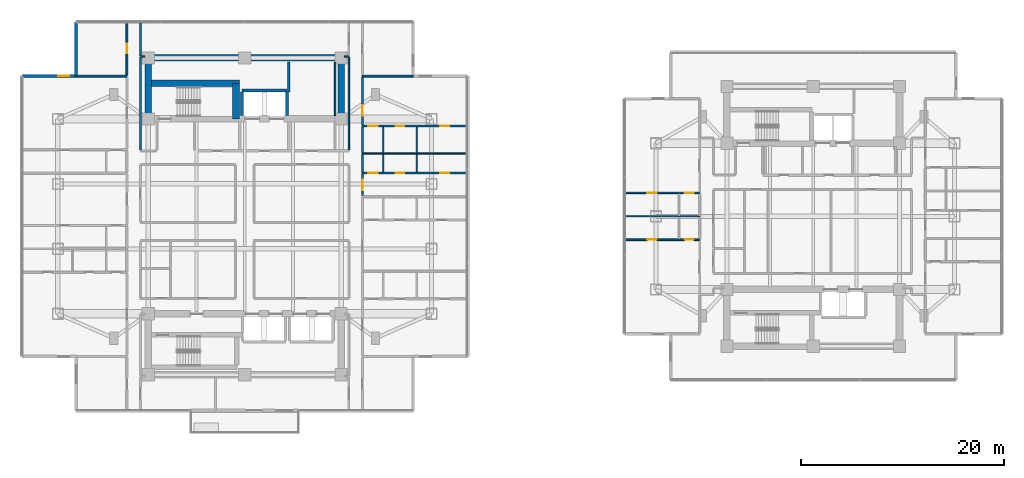
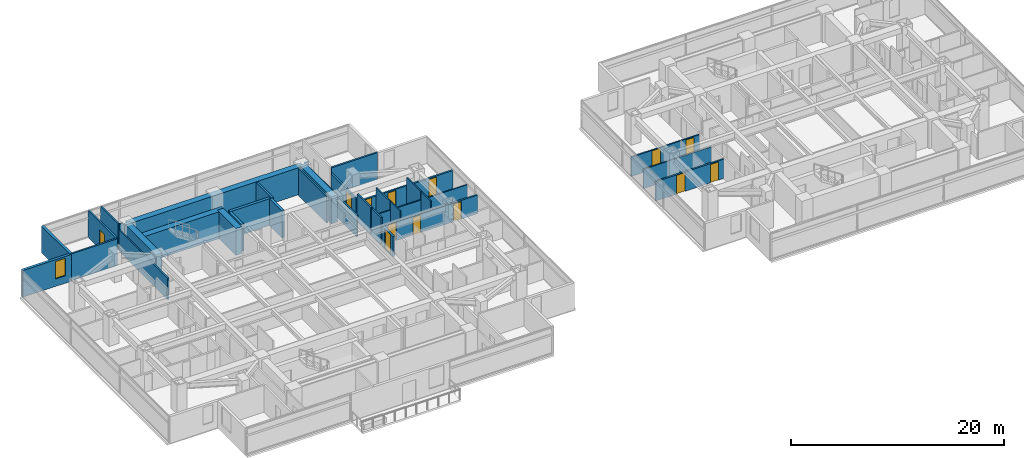
# One storey, part 16 of 26: 34 walls, 13 doors, 1 window, 14 openings.
"""IFC4 building model written with IfcOpenShell, lengths in metres."""

from ifc_helpers import new_model, si_unit, direction, frame, frame_2d, origin, place, context, subcontext, project, spatial, rectangle, extrude, material, layer, layer_set, type_object, element, fill, save


model = new_model("IFC4")

# Units and contexts
model_context = context("Model", 3, precision=1e-05, world=origin(), true_north=direction((0.0, 1.0)))
body_context = subcontext(model_context, "Body", "Model", "MODEL_VIEW")
ifc_project = project(units=[si_unit("LENGTHUNIT", "METRE"), si_unit("AREAUNIT", "SQUARE_METRE"), si_unit("VOLUMEUNIT", "CUBIC_METRE"), si_unit("PLANEANGLEUNIT", "RADIAN"), si_unit("MASSUNIT", "GRAM", prefix="KILO")], contexts=[model_context])

# Site, building, storey
site_placement = place(None, origin())
site = spatial("IfcSite", under=ifc_project, at=site_placement, CompositionType="ELEMENT")
building_placement = place(site_placement, origin())
building = spatial("IfcBuilding", under=site, at=building_placement, Name="Mirazonda Arch Towers", CompositionType="ELEMENT")
storey_placement = place(building_placement, frame((0.0, 0.0, 108.199951171875)))
storey = spatial("IfcBuildingStorey", under=building, at=storey_placement, Name="L30", CompositionType="ELEMENT", Elevation=108.199951171875)

# Walls
ifc_material_1 = material(Name="Concrete C60/75", Category="concrete")
ifc_layer_1 = layer(ifc_material_1, 0.64990234375, Name="WALL-CORE-650")
ifc_layer_set_1 = layer_set([ifc_layer_1], Name="Concrete C60/75")
wall_type_1 = type_object("IfcWallType", Name="WALL-CORE-650", PredefinedType="SHEAR", material=ifc_layer_set_1)
wall_1_placement = place(storey_placement, frame((11.0, 43.60009765625, 0.0), z_axis=(0.0, 0.0, 1.0), x_axis=(1.0, 0.0, 0.0)))
element("IfcWall", 1, at=wall_1_placement, inside=storey, type_object=wall_type_1, Name="L30 T1N-N Core Shear Wall", PredefinedType="SHEAR", context=body_context, shape_type="SweptSolid", body=[
    extrude(rectangle(XDim=19.0, YDim=0.64990234375, at=frame_2d((9.5, 0.0))), origin(), (0.0, 0.0, 1.0), 3.080078125),
])
for number, where, z_axis, x_axis, name in (
    (2, (11.0, 37.60009765625, 0.0), (0.0, 0.0, 1.0), (0.0, 1.0, 0.0), "L30 T1N-W Core Shear Wall"),
    (3, (30.0, 37.60009765625, 0.0), (0.0, 0.0, 1.0), (0.0, 1.0, 0.0), "L30 T1N-E Core Shear Wall"),
):
    element("IfcWall", number, at=place(storey_placement, frame(where, z_axis=z_axis, x_axis=x_axis)), inside=storey, type_object=wall_type_1, Name=name, PredefinedType="SHEAR", context=body_context, shape_type="SweptSolid", body=[
        extrude(rectangle(XDim=6.0, YDim=0.64990234375, at=frame_2d((3.0, 0.0))), origin(), (0.0, 0.0, 1.0), 3.080078125),
    ])
wall_2_placement = place(storey_placement, frame((11.0, 41.093017578125, 0.0), z_axis=(0.0, 0.0, 1.0), x_axis=(1.0, 0.0, 0.0)))
element("IfcWall", 4, at=wall_2_placement, inside=storey, type_object=wall_type_1, Name="L30 T1N-STN Core Shear Wall", PredefinedType="SHEAR", context=body_context, shape_type="SweptSolid", body=[
    extrude(rectangle(XDim=9.0, YDim=0.64990234375, at=frame_2d((4.5, 0.0))), origin(), (0.0, 0.0, 1.0), 3.080078125),
])
wall_3_placement = place(storey_placement, frame((19.64990234375, 37.60009765625, 0.0), z_axis=(0.0, 0.0, 1.0), x_axis=(0.0, 1.0, 0.0)))
element("IfcWall", 5, at=wall_3_placement, inside=storey, type_object=wall_type_1, Name="L30 T1N-STE Core Shear Wall", PredefinedType="SHEAR", context=body_context, shape_type="SweptSolid", body=[
    extrude(rectangle(XDim=3.492919921875, YDim=0.64990234375, at=frame_2d((1.74658203125, 0.0))), origin(), (0.0, 0.0, 1.0), 3.080078125),
])

# Wall, opening, window
ifc_material_2 = material(Name="Precast Concrete C40/50", Category="concrete")
ifc_layer_2 = layer(ifc_material_2, 0.280029296875, Name="WALL-EXT-WALL-280")
ifc_layer_set_2 = layer_set([ifc_layer_2], Name="Precast Concrete C40/50")
wall_type_2 = type_object("IfcWallType", Name="WALL-EXT-WALL-280", PredefinedType="SOLIDWALL", material=ifc_layer_set_2)
wall_4_placement = place(storey_placement, frame((3.89501953125, 41.81298828125, 0.0), z_axis=(0.0, 0.0, 1.0), x_axis=(-1.0, 0.0, 0.0)))
wall_4 = element("IfcWall", 6, at=wall_4_placement, inside=storey, type_object=wall_type_2, Name="L30 T1 Corner Notch Return Wall WL-L30-T1-CNW1", PredefinedType="SOLIDWALL", context=body_context, shape_type="SweptSolid", body=[
    extrude(rectangle(XDim=5.304931640625, YDim=0.280029296875, at=frame_2d((2.65234375, 0.0))), origin(), (0.0, 0.0, 1.0), 3.06005859375),
])
opening_1_placement = place(wall_4_placement, frame((0.64990234375, 0.0, 0.85009765625)))
opening_1 = element("IfcOpeningElement", 7, at=opening_1_placement, cuts=wall_4, Name="Opening WN-108", PredefinedType="OPENING", context=body_context, shape_type="SweptSolid", body=[
    extrude(rectangle(XDim=1.10009765625, YDim=2.0, at=frame_2d((0.550048828125, 1.0))), frame((0.0, 0.14990234375, 0.0), z_axis=(0.0, -1.0, 0.0), x_axis=(1.0, 0.0, 0.0)), (0.0, 0.0, 1.0), 0.300048828125),
])
ifc_material_3 = material(Name="Insulated Low-E Solar Glass", Category="glass")
window_type = type_object("IfcWindowType", Name="WIN-NOTCH-1100x2000", PartitioningType="SINGLE_PANEL", PredefinedType="WINDOW", material=ifc_material_3)
window_placement = place(opening_1_placement, origin())
window = element("IfcWindow", 8, at=window_placement, inside=storey, type_object=window_type, Name="L30 Punched Facade Window WN-L30-T1-CNW1", OverallHeight=2.0, OverallWidth=1.10009765625, PartitioningType="SINGLE_PANEL", PredefinedType="WINDOW", context=body_context, shape_type="SweptSolid", body=[
    extrude(rectangle(XDim=1.10009765625, YDim=2.0, at=frame_2d((0.550048828125, 1.0))), frame((0.0, 0.030029296875, 0.0), z_axis=(0.0, -1.0, 0.0), x_axis=(1.0, 0.0, 0.0)), (0.0, 0.0, 1.0), 0.06005859375),
])
fill(opening_1, window)

# Walls
wall_5_placement = place(storey_placement, frame((3.89501953125, 47.117919921875, 0.0), z_axis=(0.0, 0.0, 1.0), x_axis=(0.0, -1.0, 0.0)))
element("IfcWall", 9, at=wall_5_placement, inside=storey, type_object=wall_type_2, Name="L30 T1 Corner Notch Return Wall WL-L30-T1-CNW2", PredefinedType="SOLIDWALL", context=body_context, shape_type="SweptSolid", body=[
    extrude(rectangle(XDim=5.304931640625, YDim=0.280029296875, at=frame_2d((2.65234375, 0.0))), origin(), (0.0, 0.0, 1.0), 3.06005859375),
])
ifc_material_4 = material(Name="Concrete C40/50", Category="concrete")
ifc_layer_3 = layer(ifc_material_4, 0.219970703125, Name="WALL-FFL-220")
ifc_layer_set_3 = layer_set([ifc_layer_3], Name="Concrete C40/50")
wall_type_3 = type_object("IfcWallType", Name="WALL-FFL-220", PredefinedType="SOLIDWALL", material=ifc_layer_set_3)
wall_6_placement = place(storey_placement, frame((24.85009765625, 40.260009765625, 0.0), z_axis=(0.0, 0.0, 1.0), x_axis=(0.0, 1.0, 0.0)))
element("IfcWall", 10, at=wall_6_placement, inside=storey, type_object=wall_type_3, Name="L30 Interior Partition 103", PredefinedType="SOLIDWALL", context=body_context, shape_type="SweptSolid", body=[
    extrude(rectangle(XDim=2.93994140625, YDim=0.219970703125, at=frame_2d((1.469970703125, 0.0))), origin(), (0.0, 0.0, 1.0), 3.080078125),
])

# Wall, openings, doors
ifc_material_5 = material(Name="Fire-Rated Gypsum Stud Partition")
ifc_layer_4 = layer(ifc_material_5, 0.14990234375, Name="WALL-PART-CORR-150")
ifc_layer_set_4 = layer_set([ifc_layer_4], Name="Fire-Rated Gypsum Stud Partition")
wall_type_4 = type_object("IfcWallType", Name="WALL-PART-CORR-150", PredefinedType="PARTITIONING", material=ifc_layer_set_4)
wall_7_placement = place(storey_placement, frame((57.928955078125, 30.300048828125, 0.0), z_axis=(0.0, 0.0, 1.0), x_axis=(1.0, 0.0, 0.0)))
wall_7 = element("IfcWall", 11, at=wall_7_placement, inside=storey, type_object=wall_type_4, Name="L30 Interior Partition 040", PredefinedType="PARTITIONING", context=body_context, shape_type="SweptSolid", body=[
    extrude(rectangle(XDim=7.39111328125, YDim=0.14990234375, at=frame_2d((3.695556640625, 0.0))), origin(), (0.0, 0.0, 1.0), 2.216064453125),
])
opening_2_placement = place(wall_7_placement, frame((2.220458984375, 0.0, 0.0)))
opening_2 = element("IfcOpeningElement", 12, at=opening_2_placement, cuts=wall_7, Name="Opening DR-104", PredefinedType="OPENING", context=body_context, shape_type="SweptSolid", body=[
    extrude(rectangle(XDim=0.949951171875, YDim=2.14990234375, at=frame_2d((0.47509765625, 1.074951171875))), frame((0.0, 0.0849609375, 0.0), z_axis=(0.0, -1.0, 0.0), x_axis=(1.0, 0.0, 0.0)), (0.0, 0.0, 1.0), 0.169921875),
])
opening_3_placement = place(wall_7_placement, frame((5.90087890625, 0.0, 0.0)))
opening_3 = element("IfcOpeningElement", 13, at=opening_3_placement, cuts=wall_7, Name="Opening DR-120", PredefinedType="OPENING", context=body_context, shape_type="SweptSolid", body=[
    extrude(rectangle(XDim=0.89990234375, YDim=2.10009765625, at=frame_2d((0.449951171875, 1.050048828125))), frame((0.0, 0.0849609375, 0.0), z_axis=(0.0, -1.0, 0.0), x_axis=(1.0, 0.0, 0.0)), (0.0, 0.0, 1.0), 0.169921875),
])
ifc_material_6 = material(Name="Architectural Brushed Steel S355", Category="steel")
door_type_1 = type_object("IfcDoorType", Name="DOOR-ROOM-950", OperationType="NOTDEFINED", PredefinedType="DOOR", material=ifc_material_6)
door_1_placement = place(opening_2_placement, origin())
door_1 = element("IfcDoor", 14, at=door_1_placement, inside=storey, type_object=door_type_1, Name="L30 Guestroom Study 2 Door", OperationType="SINGLE_SWING_RIGHT", OverallHeight=2.14990234375, OverallWidth=0.949951171875, PredefinedType="DOOR", context=body_context, shape_type="SweptSolid", body=[
    extrude(rectangle(XDim=0.949951171875, YDim=2.14990234375, at=frame_2d((0.47509765625, 1.074951171875))), frame((0.0, 0.02490234375, 0.0), z_axis=(0.0, -1.0, 0.0), x_axis=(1.0, 0.0, 0.0)), (0.0, 0.0, 1.0), 0.050048828125),
])
fill(opening_2, door_1)
door_type_2 = type_object("IfcDoorType", Name="DOOR-WC-900", OperationType="NOTDEFINED", PredefinedType="DOOR", material=ifc_material_6)
door_2_placement = place(opening_3_placement, origin())
door_2 = element("IfcDoor", 15, at=door_2_placement, inside=storey, type_object=door_type_2, Name="L30 En-Suite Bathroom 2 Door", OperationType="SINGLE_SWING_LEFT", OverallHeight=2.10009765625, OverallWidth=0.89990234375, PredefinedType="DOOR", context=body_context, shape_type="SweptSolid", body=[
    extrude(rectangle(XDim=0.89990234375, YDim=2.10009765625, at=frame_2d((0.449951171875, 1.050048828125))), frame((0.0, 0.02490234375, 0.0), z_axis=(0.0, -1.0, 0.0), x_axis=(1.0, 0.0, 0.0)), (0.0, 0.0, 1.0), 0.050048828125),
])
fill(opening_3, door_2)

# Walls
for number, where, z_axis, x_axis, name in (
    (16, (10.239990234375, 43.75, 0.0), (0.0, 0.0, 1.0), (1.0, 0.0, 0.0), "L30 Interior Partition 064"),
    (17, (30.320068359375, 43.75, 0.0), (0.0, 0.0, 1.0), (1.0, 0.0, 0.0), "L30 Interior Partition 065"),
):
    element("IfcWall", number, at=place(storey_placement, frame(where, z_axis=z_axis, x_axis=x_axis)), inside=storey, type_object=wall_type_4, Name=name, PredefinedType="PARTITIONING", context=body_context, shape_type="SweptSolid", body=[
        extrude(rectangle(XDim=0.43994140625, YDim=0.14990234375, at=frame_2d((0.219970703125, 0.0))), origin(), (0.0, 0.0, 1.0), 3.080078125),
    ])
wall_8_placement = place(storey_placement, frame((10.239990234375, 34.534912109375, 0.0), z_axis=(0.0, 0.0, 1.0), x_axis=(0.0, 1.0, 0.0)))
element("IfcWall", 18, at=wall_8_placement, inside=storey, type_object=wall_type_4, Name="L30 Interior Partition 083", PredefinedType="PARTITIONING", context=body_context, shape_type="SweptSolid", body=[
    extrude(rectangle(XDim=9.130126953125, YDim=0.14990234375, at=frame_2d((4.56494140625, 0.0))), origin(), (0.0, 0.0, 1.0), 2.4560546875),
])
wall_9_placement = place(storey_placement, frame((10.239990234375, 43.8349609375, 0.0), z_axis=(0.0, 0.0, 1.0), x_axis=(0.0, 1.0, 0.0)))
element("IfcWall", 19, at=wall_9_placement, inside=storey, type_object=wall_type_4, Name="L30 Interior Partition 084", PredefinedType="PARTITIONING", context=body_context, shape_type="SweptSolid", body=[
    extrude(rectangle(XDim=3.282958984375, YDim=0.14990234375, at=frame_2d((1.6416015625, 0.0))), origin(), (0.0, 0.0, 1.0), 3.080078125),
])
wall_10_placement = place(storey_placement, frame((29.39990234375, 37.919921875, 0.0), z_axis=(0.0, 0.0, 1.0), x_axis=(0.0, 1.0, 0.0)))
element("IfcWall", 20, at=wall_10_placement, inside=storey, type_object=wall_type_4, Name="L30 Interior Partition 106", PredefinedType="PARTITIONING", context=body_context, shape_type="SweptSolid", body=[
    extrude(rectangle(XDim=5.280029296875, YDim=0.14990234375, at=frame_2d((2.64013671875, 0.0))), origin(), (0.0, 0.0, 1.0), 3.080078125),
])
wall_11_placement = place(storey_placement, frame((30.760009765625, 34.570068359375, 0.0), z_axis=(0.0, 0.0, 1.0), x_axis=(0.0, 1.0, 0.0)))
element("IfcWall", 21, at=wall_11_placement, inside=storey, type_object=wall_type_4, Name="L30 Interior Partition 111", PredefinedType="PARTITIONING", context=body_context, shape_type="SweptSolid", body=[
    extrude(rectangle(XDim=9.094970703125, YDim=0.14990234375, at=frame_2d((4.54736328125, 0.0))), origin(), (0.0, 0.0, 1.0), 2.4560546875),
])

# Wall, openings, doors
ifc_material_7 = material(Name="Fire-Rated Gypsum Twin-Stud Assembly")
ifc_layer_5 = layer(ifc_material_7, 0.179931640625, Name="WALL-PART-DEMISE-180")
ifc_layer_set_5 = layer_set([ifc_layer_5], Name="Fire-Rated Gypsum Twin-Stud Assembly")
wall_type_5 = type_object("IfcWallType", Name="WALL-PART-DEMISE-180", PredefinedType="PARTITIONING", material=ifc_layer_set_5)
wall_12_placement = place(storey_placement, frame((57.928955078125, 25.699951171875, 0.0), z_axis=(0.0, 0.0, 1.0), x_axis=(1.0, 0.0, 0.0)))
wall_12 = element("IfcWall", 22, at=wall_12_placement, inside=storey, type_object=wall_type_5, Name="L30 Interior Partition 031", PredefinedType="PARTITIONING", context=body_context, shape_type="SweptSolid", body=[
    extrude(rectangle(XDim=7.39111328125, YDim=0.179931640625, at=frame_2d((3.695556640625, 0.0))), origin(), (0.0, 0.0, 1.0), 2.216064453125),
])
opening_4_placement = place(wall_12_placement, frame((2.220458984375, 0.0, 0.0)))
opening_4 = element("IfcOpeningElement", 23, at=opening_4_placement, cuts=wall_12, Name="Opening DR-104", PredefinedType="OPENING", context=body_context, shape_type="SweptSolid", body=[
    extrude(rectangle(XDim=0.949951171875, YDim=2.14990234375, at=frame_2d((0.47509765625, 1.074951171875))), frame((0.0, 0.099853515625, 0.0), z_axis=(0.0, -1.0, 0.0), x_axis=(1.0, 0.0, 0.0)), (0.0, 0.0, 1.0), 0.199951171875),
])
opening_5_placement = place(wall_12_placement, frame((5.90087890625, 0.0, 0.0)))
opening_5 = element("IfcOpeningElement", 24, at=opening_5_placement, cuts=wall_12, Name="Opening DR-120", PredefinedType="OPENING", context=body_context, shape_type="SweptSolid", body=[
    extrude(rectangle(XDim=0.89990234375, YDim=2.10009765625, at=frame_2d((0.449951171875, 1.050048828125))), frame((0.0, 0.099853515625, 0.0), z_axis=(0.0, -1.0, 0.0), x_axis=(1.0, 0.0, 0.0)), (0.0, 0.0, 1.0), 0.199951171875),
])
door_3_placement = place(opening_4_placement, origin())
door_3 = element("IfcDoor", 25, at=door_3_placement, inside=storey, type_object=door_type_1, Name="L30 Guestroom Study 1 Door", OperationType="SINGLE_SWING_LEFT", OverallHeight=2.14990234375, OverallWidth=0.949951171875, PredefinedType="DOOR", context=body_context, shape_type="SweptSolid", body=[
    extrude(rectangle(XDim=0.949951171875, YDim=2.14990234375, at=frame_2d((0.47509765625, 1.074951171875))), frame((0.0, 0.02490234375, 0.0), z_axis=(0.0, -1.0, 0.0), x_axis=(1.0, 0.0, 0.0)), (0.0, 0.0, 1.0), 0.050048828125),
])
fill(opening_4, door_3)
door_4_placement = place(opening_5_placement, origin())
door_4 = element("IfcDoor", 26, at=door_4_placement, inside=storey, type_object=door_type_2, Name="L30 En-Suite Bathroom 1 Door", OperationType="SINGLE_SWING_RIGHT", OverallHeight=2.10009765625, OverallWidth=0.89990234375, PredefinedType="DOOR", context=body_context, shape_type="SweptSolid", body=[
    extrude(rectangle(XDim=0.89990234375, YDim=2.10009765625, at=frame_2d((0.449951171875, 1.050048828125))), frame((0.0, 0.02490234375, 0.0), z_axis=(0.0, -1.0, 0.0), x_axis=(1.0, 0.0, 0.0)), (0.0, 0.0, 1.0), 0.050048828125),
])
fill(opening_5, door_4)

wall_13_placement = place(storey_placement, frame((32.10009765625, 32.263916015625, 0.0), z_axis=(0.0, 0.0, 1.0), x_axis=(1.0, 0.0, 0.0)))
wall_13 = element("IfcWall", 27, at=wall_13_placement, inside=storey, type_object=wall_type_5, Name="L30 Interior Partition 046", PredefinedType="PARTITIONING", context=body_context, shape_type="SweptSolid", body=[
    extrude(rectangle(XDim=10.309814453125, YDim=0.179931640625, at=frame_2d((5.15478515625, 0.0))), origin(), (0.0, 0.0, 1.0), 2.14501953125),
])
opening_6_placement = place(wall_13_placement, frame((7.68408203125, 0.0, 0.0)))
opening_6 = element("IfcOpeningElement", 28, at=opening_6_placement, cuts=wall_13, Name="Opening DR-128", PredefinedType="OPENING", context=body_context, shape_type="SweptSolid", body=[
    extrude(rectangle(XDim=0.85009765625, YDim=2.010009765625, at=frame_2d((0.425048828125, 1.0048828125))), frame((0.0, 0.099853515625, 0.0), z_axis=(0.0, -1.0, 0.0), x_axis=(1.0, 0.0, 0.0)), (0.0, 0.0, 1.0), 0.199951171875),
])
opening_7_placement = place(wall_13_placement, frame((3.26904296875, 0.0, 0.0)))
opening_7 = element("IfcOpeningElement", 29, at=opening_7_placement, cuts=wall_13, Name="Opening DR-128", PredefinedType="OPENING", context=body_context, shape_type="SweptSolid", body=[
    extrude(rectangle(XDim=0.85009765625, YDim=2.010009765625, at=frame_2d((0.425048828125, 1.0048828125))), frame((0.0, 0.099853515625, 0.0), z_axis=(0.0, -1.0, 0.0), x_axis=(1.0, 0.0, 0.0)), (0.0, 0.0, 1.0), 0.199951171875),
])
opening_8_placement = place(wall_13_placement, frame((0.590087890625, 0.0, 0.0)))
opening_8 = element("IfcOpeningElement", 30, at=opening_8_placement, cuts=wall_13, Name="Opening DR-120", PredefinedType="OPENING", context=body_context, shape_type="SweptSolid", body=[
    extrude(rectangle(XDim=0.89990234375, YDim=2.10009765625, at=frame_2d((0.449951171875, 1.050048828125))), frame((0.0, 0.099853515625, 0.0), z_axis=(0.0, -1.0, 0.0), x_axis=(1.0, 0.0, 0.0)), (0.0, 0.0, 1.0), 0.199951171875),
])
door_type_3 = type_object("IfcDoorType", Name="DOOR-RISER-FD60-850", OperationType="NOTDEFINED", PredefinedType="DOOR", material=ifc_material_6)
door_5_placement = place(opening_6_placement, origin())
door_5 = element("IfcDoor", 31, at=door_5_placement, inside=storey, type_object=door_type_3, Name="L30 Residence 3 Principal Bedroom Door", OperationType="SINGLE_SWING_RIGHT", OverallHeight=2.010009765625, OverallWidth=0.85009765625, PredefinedType="DOOR", context=body_context, shape_type="SweptSolid", body=[
    extrude(rectangle(XDim=0.85009765625, YDim=2.010009765625, at=frame_2d((0.425048828125, 1.0048828125))), frame((0.0, 0.02490234375, 0.0), z_axis=(0.0, -1.0, 0.0), x_axis=(1.0, 0.0, 0.0)), (0.0, 0.0, 1.0), 0.050048828125),
])
fill(opening_6, door_5)
door_6_placement = place(opening_7_placement, origin())
door_6 = element("IfcDoor", 32, at=door_6_placement, inside=storey, type_object=door_type_3, Name="L30 Residence 3 Fitted Kitchen Door", OperationType="SINGLE_SWING_LEFT", OverallHeight=2.010009765625, OverallWidth=0.85009765625, PredefinedType="DOOR", context=body_context, shape_type="SweptSolid", body=[
    extrude(rectangle(XDim=0.85009765625, YDim=2.010009765625, at=frame_2d((0.425048828125, 1.0048828125))), frame((0.0, 0.02490234375, 0.0), z_axis=(0.0, -1.0, 0.0), x_axis=(1.0, 0.0, 0.0)), (0.0, 0.0, 1.0), 0.050048828125),
])
fill(opening_7, door_6)
door_7_placement = place(opening_8_placement, origin())
door_7 = element("IfcDoor", 33, at=door_7_placement, inside=storey, type_object=door_type_2, Name="L30 Residence 3 Bathroom Door", OperationType="SINGLE_SWING_RIGHT", OverallHeight=2.10009765625, OverallWidth=0.89990234375, PredefinedType="DOOR", context=body_context, shape_type="SweptSolid", body=[
    extrude(rectangle(XDim=0.89990234375, YDim=2.10009765625, at=frame_2d((0.449951171875, 1.050048828125))), frame((0.0, 0.02490234375, 0.0), z_axis=(0.0, -1.0, 0.0), x_axis=(1.0, 0.0, 0.0)), (0.0, 0.0, 1.0), 0.050048828125),
])
fill(opening_8, door_7)

wall_14_placement = place(storey_placement, frame((32.10009765625, 36.904052734375, 0.0), z_axis=(0.0, 0.0, 1.0), x_axis=(1.0, 0.0, 0.0)))
wall_14 = element("IfcWall", 34, at=wall_14_placement, inside=storey, type_object=wall_type_5, Name="L30 Interior Partition 056", PredefinedType="PARTITIONING", context=body_context, shape_type="SweptSolid", body=[
    extrude(rectangle(XDim=10.309814453125, YDim=0.179931640625, at=frame_2d((5.15478515625, 0.0))), origin(), (0.0, 0.0, 1.0), 2.14501953125),
])
opening_9_placement = place(wall_14_placement, frame((7.68408203125, 0.0, 0.0)))
opening_9 = element("IfcOpeningElement", 35, at=opening_9_placement, cuts=wall_14, Name="Opening DR-128", PredefinedType="OPENING", context=body_context, shape_type="SweptSolid", body=[
    extrude(rectangle(XDim=0.85009765625, YDim=2.010009765625, at=frame_2d((0.425048828125, 1.0048828125))), frame((0.0, 0.099853515625, 0.0), z_axis=(0.0, -1.0, 0.0), x_axis=(1.0, 0.0, 0.0)), (0.0, 0.0, 1.0), 0.199951171875),
])
opening_10_placement = place(wall_14_placement, frame((3.26904296875, 0.0, 0.0)))
opening_10 = element("IfcOpeningElement", 36, at=opening_10_placement, cuts=wall_14, Name="Opening DR-128", PredefinedType="OPENING", context=body_context, shape_type="SweptSolid", body=[
    extrude(rectangle(XDim=0.85009765625, YDim=2.010009765625, at=frame_2d((0.425048828125, 1.0048828125))), frame((0.0, 0.099853515625, 0.0), z_axis=(0.0, -1.0, 0.0), x_axis=(1.0, 0.0, 0.0)), (0.0, 0.0, 1.0), 0.199951171875),
])
opening_11_placement = place(wall_14_placement, frame((0.590087890625, 0.0, 0.0)))
opening_11 = element("IfcOpeningElement", 37, at=opening_11_placement, cuts=wall_14, Name="Opening DR-120", PredefinedType="OPENING", context=body_context, shape_type="SweptSolid", body=[
    extrude(rectangle(XDim=0.89990234375, YDim=2.10009765625, at=frame_2d((0.449951171875, 1.050048828125))), frame((0.0, 0.099853515625, 0.0), z_axis=(0.0, -1.0, 0.0), x_axis=(1.0, 0.0, 0.0)), (0.0, 0.0, 1.0), 0.199951171875),
])
door_8_placement = place(opening_9_placement, origin())
door_8 = element("IfcDoor", 38, at=door_8_placement, inside=storey, type_object=door_type_3, Name="L30 Residence 4 Principal Bedroom Door", OperationType="SINGLE_SWING_RIGHT", OverallHeight=2.010009765625, OverallWidth=0.85009765625, PredefinedType="DOOR", context=body_context, shape_type="SweptSolid", body=[
    extrude(rectangle(XDim=0.85009765625, YDim=2.010009765625, at=frame_2d((0.425048828125, 1.0048828125))), frame((0.0, 0.02490234375, 0.0), z_axis=(0.0, -1.0, 0.0), x_axis=(1.0, 0.0, 0.0)), (0.0, 0.0, 1.0), 0.050048828125),
])
fill(opening_9, door_8)
door_9_placement = place(opening_10_placement, origin())
door_9 = element("IfcDoor", 39, at=door_9_placement, inside=storey, type_object=door_type_3, Name="L30 Residence 4 Fitted Kitchen Door", OperationType="SINGLE_SWING_LEFT", OverallHeight=2.010009765625, OverallWidth=0.85009765625, PredefinedType="DOOR", context=body_context, shape_type="SweptSolid", body=[
    extrude(rectangle(XDim=0.85009765625, YDim=2.010009765625, at=frame_2d((0.425048828125, 1.0048828125))), frame((0.0, 0.02490234375, 0.0), z_axis=(0.0, -1.0, 0.0), x_axis=(1.0, 0.0, 0.0)), (0.0, 0.0, 1.0), 0.050048828125),
])
fill(opening_10, door_9)
door_10_placement = place(opening_11_placement, origin())
door_10 = element("IfcDoor", 40, at=door_10_placement, inside=storey, type_object=door_type_2, Name="L30 Residence 4 Bathroom Door", OperationType="SINGLE_SWING_RIGHT", OverallHeight=2.10009765625, OverallWidth=0.89990234375, PredefinedType="DOOR", context=body_context, shape_type="SweptSolid", body=[
    extrude(rectangle(XDim=0.89990234375, YDim=2.10009765625, at=frame_2d((0.449951171875, 1.050048828125))), frame((0.0, 0.02490234375, 0.0), z_axis=(0.0, -1.0, 0.0), x_axis=(1.0, 0.0, 0.0)), (0.0, 0.0, 1.0), 0.050048828125),
])
fill(opening_11, door_10)

# Walls
for number, where, z_axis, x_axis, name in (
    (41, (3.9150390625, 41.81298828125, 0.0), (0.0, 0.0, 1.0), (1.0, 0.0, 0.0), "L30 Interior Partition 062"),
    (42, (32.10009765625, 41.81298828125, 0.0), (0.0, 0.0, 1.0), (1.0, 0.0, 0.0), "L30 Interior Partition 063"),
):
    element("IfcWall", number, at=place(storey_placement, frame(where, z_axis=z_axis, x_axis=x_axis)), inside=storey, type_object=wall_type_5, Name=name, PredefinedType="PARTITIONING", context=body_context, shape_type="SweptSolid", body=[
        extrude(rectangle(XDim=4.98486328125, YDim=0.179931640625, at=frame_2d((2.492431640625, 0.0))), origin(), (0.0, 0.0, 1.0), 3.080078125),
    ])

# Wall, opening, door
wall_15_placement = place(storey_placement, frame((8.89990234375, 41.9130859375, 0.0), z_axis=(0.0, 0.0, 1.0), x_axis=(0.0, 1.0, 0.0)))
wall_15 = element("IfcWall", 43, at=wall_15_placement, inside=storey, type_object=wall_type_5, Name="L30 Interior Partition 077", PredefinedType="PARTITIONING", context=body_context, shape_type="SweptSolid", body=[
    extrude(rectangle(XDim=5.204833984375, YDim=0.179931640625, at=frame_2d((2.6025390625, 0.0))), origin(), (0.0, 0.0, 1.0), 3.080078125),
])
opening_12_placement = place(wall_15_placement, frame((2.12744140625, 0.0, 0.0)))
opening_12 = element("IfcOpeningElement", 44, at=opening_12_placement, cuts=wall_15, Name="Opening DR-104", PredefinedType="OPENING", context=body_context, shape_type="SweptSolid", body=[
    extrude(rectangle(XDim=0.949951171875, YDim=2.14990234375, at=frame_2d((0.47509765625, 1.074951171875))), frame((0.0, 0.099853515625, 0.0), z_axis=(0.0, -1.0, 0.0), x_axis=(1.0, 0.0, 0.0)), (0.0, 0.0, 1.0), 0.199951171875),
])
door_11_placement = place(opening_12_placement, origin())
door_11 = element("IfcDoor", 45, at=door_11_placement, inside=storey, type_object=door_type_1, Name="L30 North Bay Sunroom Alcove West Door", OperationType="SINGLE_SWING_RIGHT", OverallHeight=2.14990234375, OverallWidth=0.949951171875, PredefinedType="DOOR", context=body_context, shape_type="SweptSolid", body=[
    extrude(rectangle(XDim=0.949951171875, YDim=2.14990234375, at=frame_2d((0.47509765625, 1.074951171875))), frame((0.0, 0.02490234375, 0.0), z_axis=(0.0, -1.0, 0.0), x_axis=(1.0, 0.0, 0.0)), (0.0, 0.0, 1.0), 0.050048828125),
])
fill(opening_12, door_11)

wall_16_placement = place(storey_placement, frame((32.10009765625, 30.032958984375, 0.0), z_axis=(0.0, 0.0, 1.0), x_axis=(0.0, 1.0, 0.0)))
wall_16 = element("IfcWall", 46, at=wall_16_placement, inside=storey, type_object=wall_type_5, Name="L30 Interior Partition 118", PredefinedType="PARTITIONING", context=body_context, shape_type="SweptSolid", body=[
    extrude(rectangle(XDim=2.131103515625, YDim=0.179931640625, at=frame_2d((1.0654296875, 0.0))), origin(), (0.0, 0.0, 1.0), 2.299072265625),
])
opening_13_placement = place(wall_16_placement, frame((0.54052734375, 0.0, 0.0)))
opening_13 = element("IfcOpeningElement", 47, at=opening_13_placement, cuts=wall_16, Name="Opening DR-121", PredefinedType="OPENING", context=body_context, shape_type="SweptSolid", body=[
    extrude(rectangle(XDim=1.050048828125, YDim=2.199951171875, at=frame_2d((0.52490234375, 1.10009765625))), frame((0.0, 0.099853515625, 0.0), z_axis=(0.0, -1.0, 0.0), x_axis=(1.0, 0.0, 0.0)), (0.0, 0.0, 1.0), 0.199951171875),
])
door_type_4 = type_object("IfcDoorType", Name="DOOR-SUITE-FD60-1050", OperationType="NOTDEFINED", PredefinedType="DOOR", material=ifc_material_6)
door_12_placement = place(opening_13_placement, origin())
door_12 = element("IfcDoor", 48, at=door_12_placement, inside=storey, type_object=door_type_4, Name="L30 Residence 3 Living & Dining Salon Door", OperationType="SINGLE_SWING_LEFT", OverallHeight=2.199951171875, OverallWidth=1.050048828125, PredefinedType="DOOR", context=body_context, shape_type="SweptSolid", body=[
    extrude(rectangle(XDim=1.050048828125, YDim=2.199951171875, at=frame_2d((0.52490234375, 1.10009765625))), frame((0.0, 0.02490234375, 0.0), z_axis=(0.0, -1.0, 0.0), x_axis=(1.0, 0.0, 0.0)), (0.0, 0.0, 1.0), 0.050048828125),
])
fill(opening_13, door_12)

# Walls
wall_17_placement = place(storey_placement, frame((32.10009765625, 32.364013671875, 0.0), z_axis=(0.0, 0.0, 1.0), x_axis=(0.0, 1.0, 0.0)))
element("IfcWall", 49, at=wall_17_placement, inside=storey, type_object=wall_type_5, Name="L30 Interior Partition 119", PredefinedType="PARTITIONING", context=body_context, shape_type="SweptSolid", body=[
    extrude(rectangle(XDim=1.74755859375, YDim=0.179931640625, at=frame_2d((0.873779296875, 0.0))), origin(), (0.0, 0.0, 1.0), 3.080078125),
])
wall_18_placement = place(storey_placement, frame((32.10009765625, 34.256591796875, 0.0), z_axis=(0.0, 0.0, 1.0), x_axis=(0.0, 1.0, 0.0)))
element("IfcWall", 50, at=wall_18_placement, inside=storey, type_object=wall_type_5, Name="L30 Interior Partition 120", PredefinedType="PARTITIONING", context=body_context, shape_type="SweptSolid", body=[
    extrude(rectangle(XDim=2.54736328125, YDim=0.179931640625, at=frame_2d((1.273681640625, 0.0))), origin(), (0.0, 0.0, 1.0), 3.080078125),
])

# Wall, opening, door
wall_19_placement = place(storey_placement, frame((32.10009765625, 37.00390625, 0.0), z_axis=(0.0, 0.0, 1.0), x_axis=(0.0, 1.0, 0.0)))
wall_19 = element("IfcWall", 51, at=wall_19_placement, inside=storey, type_object=wall_type_5, Name="L30 Interior Partition 121", PredefinedType="PARTITIONING", context=body_context, shape_type="SweptSolid", body=[
    extrude(rectangle(XDim=4.708984375, YDim=0.179931640625, at=frame_2d((2.3544921875, 0.0))), origin(), (0.0, 0.0, 1.0), 2.4560546875),
])
opening_14_placement = place(wall_19_placement, frame((0.87939453125, 0.0, 0.0)))
opening_14 = element("IfcOpeningElement", 52, at=opening_14_placement, cuts=wall_19, Name="Opening DR-121", PredefinedType="OPENING", context=body_context, shape_type="SweptSolid", body=[
    extrude(rectangle(XDim=1.050048828125, YDim=2.199951171875, at=frame_2d((0.52490234375, 1.10009765625))), frame((0.0, 0.099853515625, 0.0), z_axis=(0.0, -1.0, 0.0), x_axis=(1.0, 0.0, 0.0)), (0.0, 0.0, 1.0), 0.199951171875),
])
door_13_placement = place(opening_14_placement, origin())
door_13 = element("IfcDoor", 53, at=door_13_placement, inside=storey, type_object=door_type_4, Name="L30 Residence 4 Living & Dining Salon Door", OperationType="SINGLE_SWING_LEFT", OverallHeight=2.199951171875, OverallWidth=1.050048828125, PredefinedType="DOOR", context=body_context, shape_type="SweptSolid", body=[
    extrude(rectangle(XDim=1.050048828125, YDim=2.199951171875, at=frame_2d((0.52490234375, 1.10009765625))), frame((0.0, 0.02490234375, 0.0), z_axis=(0.0, -1.0, 0.0), x_axis=(1.0, 0.0, 0.0)), (0.0, 0.0, 1.0), 0.050048828125),
])
fill(opening_14, door_13)

# Walls
ifc_material_8 = material(Name="Acoustic Fire-Rated Gypsum Partition")
ifc_layer_6 = layer(ifc_material_8, 0.125, Name="WALL-PART-UNIT-125")
ifc_layer_set_6 = layer_set([ifc_layer_6], Name="Acoustic Fire-Rated Gypsum Partition")
wall_type_6 = type_object("IfcWallType", Name="WALL-PART-UNIT-125", PredefinedType="PARTITIONING", material=ifc_layer_set_6)
wall_20_placement = place(storey_placement, frame((57.928955078125, 28.0, 0.0), z_axis=(0.0, 0.0, 1.0), x_axis=(1.0, 0.0, 0.0)))
element("IfcWall", 54, at=wall_20_placement, inside=storey, type_object=wall_type_6, Name="L30 Interior Partition 037", PredefinedType="PARTITIONING", context=body_context, shape_type="SweptSolid", body=[
    extrude(rectangle(XDim=7.39111328125, YDim=0.125, at=frame_2d((3.695556640625, 0.0))), origin(), (0.0, 0.0, 1.0), 2.216064453125),
])
wall_21_placement = place(storey_placement, frame((32.10009765625, 34.18408203125, 0.0), z_axis=(0.0, 0.0, 1.0), x_axis=(1.0, 0.0, 0.0)))
element("IfcWall", 55, at=wall_21_placement, inside=storey, type_object=wall_type_6, Name="L30 Interior Partition 050", PredefinedType="PARTITIONING", context=body_context, shape_type="SweptSolid", body=[
    extrude(rectangle(XDim=10.309814453125, YDim=0.125, at=frame_2d((5.15478515625, 0.0))), origin(), (0.0, 0.0, 1.0), 2.14501953125),
])
wall_22_placement = place(storey_placement, frame((34.139892578125, 32.364013671875, 0.0), z_axis=(0.0, 0.0, 1.0), x_axis=(0.0, 1.0, 0.0)))
element("IfcWall", 56, at=wall_22_placement, inside=storey, type_object=wall_type_6, Name="L30 Interior Partition 125", PredefinedType="PARTITIONING", context=body_context, shape_type="SweptSolid", body=[
    extrude(rectangle(XDim=1.74755859375, YDim=0.125, at=frame_2d((0.873779296875, 0.0))), origin(), (0.0, 0.0, 1.0), 3.080078125),
])
wall_23_placement = place(storey_placement, frame((34.139892578125, 34.256591796875, 0.0), z_axis=(0.0, 0.0, 1.0), x_axis=(0.0, 1.0, 0.0)))
element("IfcWall", 57, at=wall_23_placement, inside=storey, type_object=wall_type_6, Name="L30 Interior Partition 126", PredefinedType="PARTITIONING", context=body_context, shape_type="SweptSolid", body=[
    extrude(rectangle(XDim=2.54736328125, YDim=0.125, at=frame_2d((1.273681640625, 0.0))), origin(), (0.0, 0.0, 1.0), 3.080078125),
])
wall_24_placement = place(storey_placement, frame((37.447998046875, 32.364013671875, 0.0), z_axis=(0.0, 0.0, 1.0), x_axis=(0.0, 1.0, 0.0)))
element("IfcWall", 58, at=wall_24_placement, inside=storey, type_object=wall_type_6, Name="L30 Interior Partition 129", PredefinedType="PARTITIONING", context=body_context, shape_type="SweptSolid", body=[
    extrude(rectangle(XDim=1.74755859375, YDim=0.125, at=frame_2d((0.873779296875, 0.0))), origin(), (0.0, 0.0, 1.0), 3.080078125),
])
wall_25_placement = place(storey_placement, frame((37.447998046875, 34.256591796875, 0.0), z_axis=(0.0, 0.0, 1.0), x_axis=(0.0, 1.0, 0.0)))
element("IfcWall", 59, at=wall_25_placement, inside=storey, type_object=wall_type_6, Name="L30 Interior Partition 130", PredefinedType="PARTITIONING", context=body_context, shape_type="SweptSolid", body=[
    extrude(rectangle(XDim=2.54736328125, YDim=0.125, at=frame_2d((1.273681640625, 0.0))), origin(), (0.0, 0.0, 1.0), 3.080078125),
])
ifc_material_9 = material(Name="Concrete C50/60", Category="concrete")
ifc_layer_7 = layer(ifc_material_9, 0.300048828125, Name="WALL-SHAFT-300")
ifc_layer_set_7 = layer_set([ifc_layer_7], Name="Concrete C50/60")
wall_type_7 = type_object("IfcWallType", Name="WALL-SHAFT-300", PredefinedType="SOLIDWALL", material=ifc_layer_set_7)
wall_26_placement = place(storey_placement, frame((20.25, 40.39990234375, 0.0), z_axis=(0.0, 0.0, 1.0), x_axis=(1.0, 0.0, 0.0)))
element("IfcWall", 60, at=wall_26_placement, inside=storey, type_object=wall_type_7, Name="L30 Interior Partition 061", PredefinedType="SOLIDWALL", context=body_context, shape_type="SweptSolid", body=[
    extrude(rectangle(XDim=4.39990234375, YDim=0.300048828125, at=frame_2d((2.199951171875, 0.0))), origin(), (0.0, 0.0, 1.0), 3.080078125),
])
for number, where, z_axis, x_axis, name in (
    (61, (20.25, 37.919921875, 0.0), (0.0, 0.0, 1.0), (0.0, 1.0, 0.0), "L30 Interior Partition 096"),
    (62, (24.64990234375, 37.919921875, 0.0), (0.0, 0.0, 1.0), (0.0, 1.0, 0.0), "L30 Interior Partition 100"),
):
    element("IfcWall", number, at=place(storey_placement, frame(where, z_axis=z_axis, x_axis=x_axis)), inside=storey, type_object=wall_type_7, Name=name, PredefinedType="SOLIDWALL", context=body_context, shape_type="SweptSolid", body=[
        extrude(rectangle(XDim=2.320068359375, YDim=0.300048828125, at=frame_2d((1.16015625, 0.0))), origin(), (0.0, 0.0, 1.0), 3.080078125),
    ])

save(model, "model.ifc")
